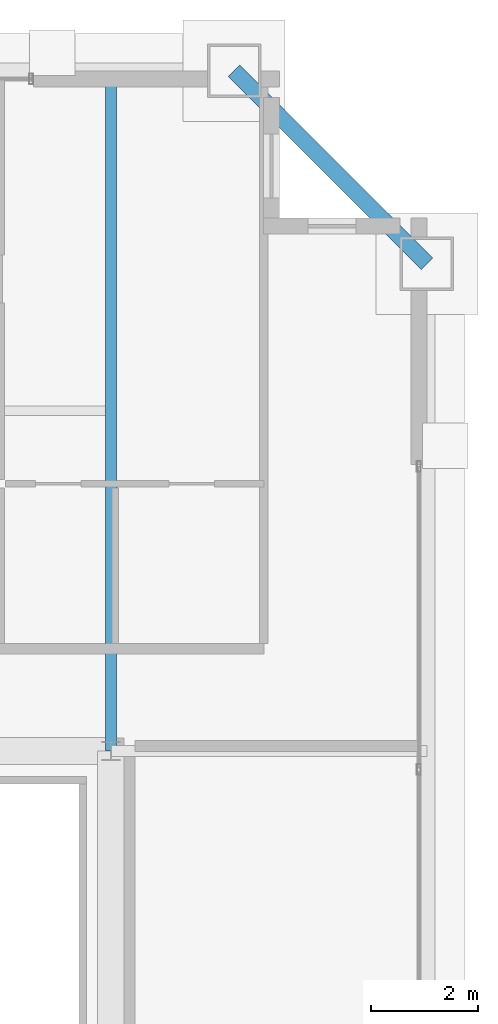
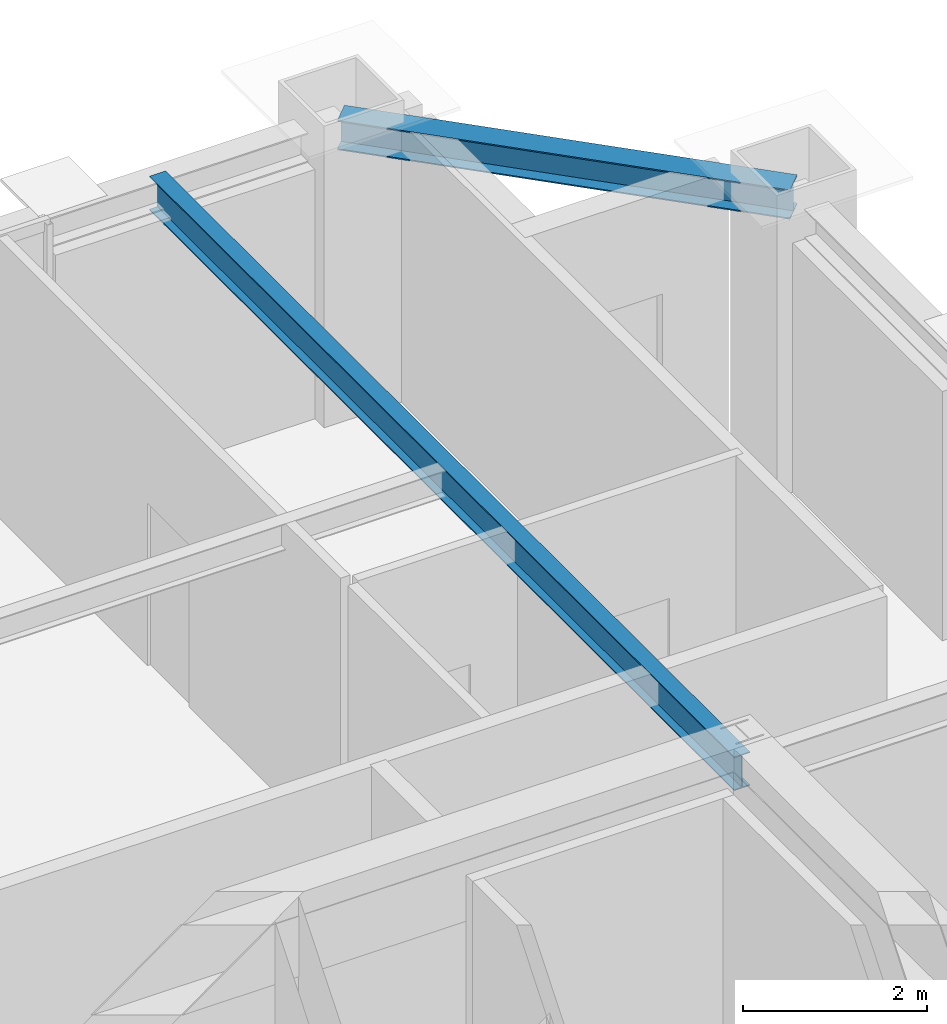
# One storey, part 20 of 34: 2 beams.
"""IFC4 building model written with IfcOpenShell, lengths in metres."""

from ifc_helpers import new_model, si_unit, direction, frame, origin, origin_2d, place, context, subcontext, project, spatial, i_section, extrude, source, transform, mapped, material, material_profile, profile_set, type_object, element, save


model = new_model("IFC4")

# Units and contexts
model_context = context("Model", 3, precision=1e-05, world=origin(), true_north=direction((0.0, 1.0)))
body_context = subcontext(model_context, "Body", "Model", "MODEL_VIEW")
ifc_project = project(units=[si_unit("LENGTHUNIT", "METRE"), si_unit("AREAUNIT", "SQUARE_METRE"), si_unit("VOLUMEUNIT", "CUBIC_METRE"), si_unit("PLANEANGLEUNIT", "RADIAN"), si_unit("MASSUNIT", "GRAM", prefix="KILO"), si_unit("THERMODYNAMICTEMPERATUREUNIT", "KELVIN"), si_unit("POWERUNIT", "WATT")], contexts=[model_context])

# Site, building, storey
site_placement = place(None, origin())
site = spatial("IfcSite", under=ifc_project, at=site_placement, CompositionType="ELEMENT")
building_placement = place(site_placement, origin())
building = spatial("IfcBuilding", under=site, at=building_placement, Name="Yuzanri Waterfront Tower", CompositionType="ELEMENT")
storey_placement = place(building_placement, frame((0.0, 0.0, 347.199951171875)))
storey = spatial("IfcBuildingStorey", under=building, at=storey_placement, Name="L93", CompositionType="ELEMENT", Elevation=347.199951171875)

# Beams
ifc_material_1 = material(Name="Steel Q355B", Category="steel")
ifc_material_profile_1 = material_profile(ifc_material_1, i_section(OverallWidth=0.300048828125, OverallDepth=0.389892578125, WebThickness=0.010009765625, FlangeThickness=0.01611328125, at=origin_2d()), Name="HM 390x300x10x16")
ifc_profile_set_1 = profile_set([ifc_material_profile_1], Name="Steel Q355B")
beam_type_1 = type_object("IfcBeamType", Name="Perimeter Spandrel Q355B HM 390x300", PredefinedType="SPANDREL", material=ifc_profile_set_1)
shared_shape_1 = source(origin(), body_context, "Body", "SweptSolid", [
    extrude(i_section(OverallWidth=0.300048828125, OverallDepth=0.389892578125, WebThickness=0.010009765625, FlangeThickness=0.01611328125, at=origin_2d()), origin(), (0.0, 0.0, 1.0), 5.091064453125),
])
beam_1_placement = place(storey_placement, frame((56.10009765625, 41.300048828125, 3.505126953125), z_axis=(-0.707130757816, 0.707082803744, 0.0), x_axis=(-0.707082803744, -0.707130757816, 0.0)))
element("IfcBeam", 1, at=beam_1_placement, inside=storey, type_object=beam_type_1, Name="L93 Perimeter Spandrel E3-N3", PredefinedType="SPANDREL", context=body_context, shape_type="MappedRepresentation", body=[
    mapped(shared_shape_1, transform((0.0, 0.0, 0.0), scale=1.0)),
])
ifc_material_2 = material(Name="Steel Q355B", Category="steel")
ifc_material_profile_2 = material_profile(ifc_material_2, i_section(OverallWidth=0.199951171875, OverallDepth=0.449951171875, WebThickness=0.009033203125, FlangeThickness=0.013916015625, at=origin_2d()), Name="HN 450x200x9x14")
ifc_profile_set_2 = profile_set([ifc_material_profile_2], Name="Steel Q355B")
beam_type_2 = type_object("IfcBeamType", Name="Secondary Floor Beam Q355B HN 450x200", PredefinedType="BEAM", material=ifc_profile_set_2)
shared_shape_2 = source(origin(), body_context, "Body", "SweptSolid", [
    extrude(i_section(OverallWidth=0.199951171875, OverallDepth=0.449951171875, WebThickness=0.009033203125, FlangeThickness=0.013916015625, at=origin_2d()), origin(), (0.0, 0.0, 1.0), 12.699951171875),
])
beam_2_placement = place(storey_placement, frame((50.199951171875, 32.199951171875, 3.47509765625), z_axis=(0.0, 1.0, 0.0), x_axis=(-1.0, 0.0, 0.0)))
element("IfcBeam", 2, at=beam_2_placement, inside=storey, type_object=beam_type_2, Name="L93 North-East Core Line Beam", PredefinedType="BEAM", context=body_context, shape_type="MappedRepresentation", body=[
    mapped(shared_shape_2, transform((0.0, 0.0, 0.0), scale=1.0)),
])

save(model, "model.ifc")
